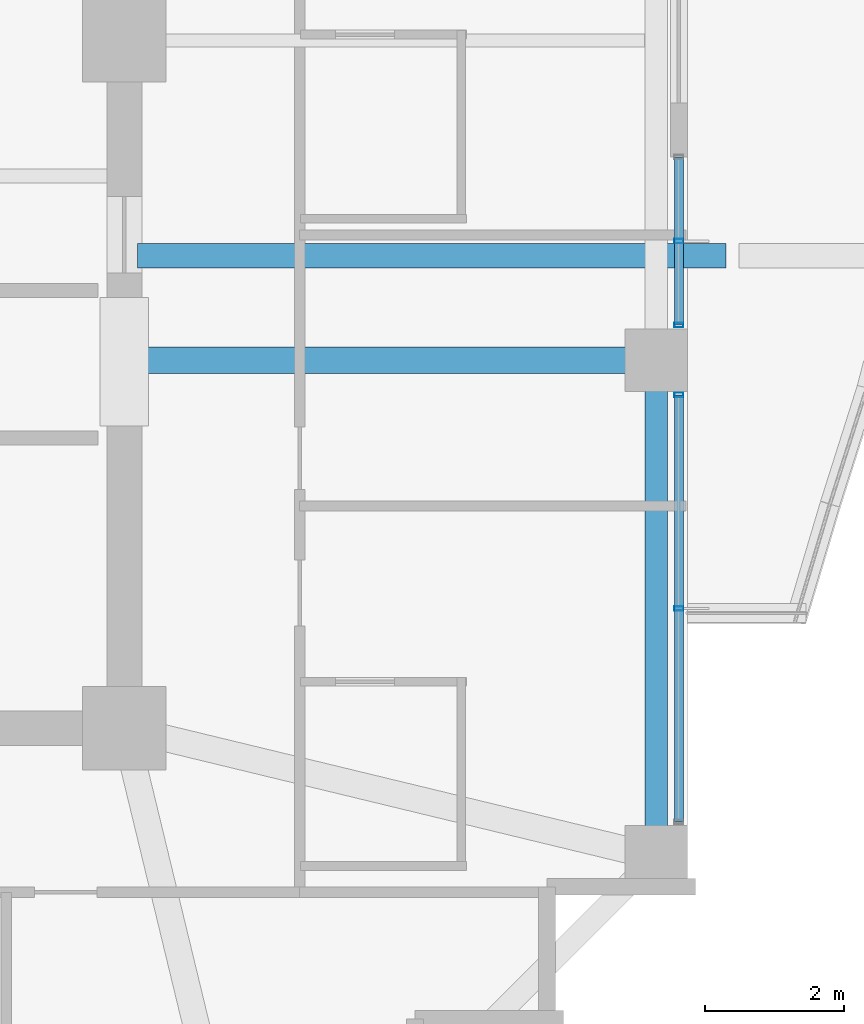
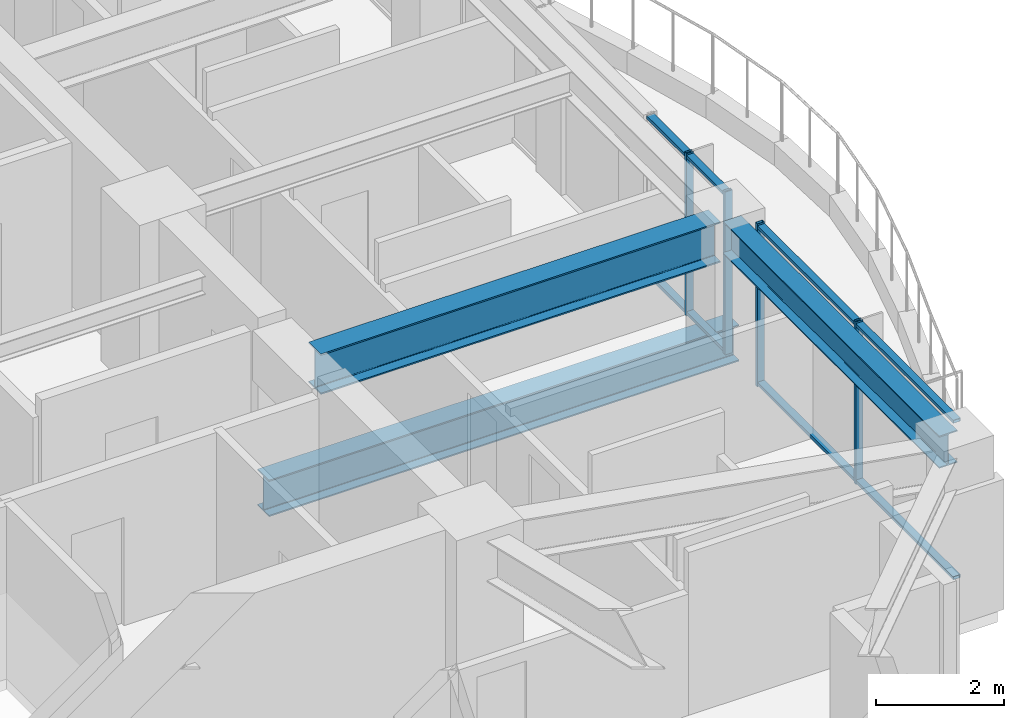
# One storey, part 13 of 33: 8 members, 3 beams, 2 elements without a shape of their own.
"""IFC4 building model written with IfcOpenShell, lengths in metres."""

from ifc_helpers import new_model, si_unit, direction, frame, origin, origin_2d, place, context, subcontext, project, spatial, hollow_rectangle, i_section, extrude, material, material_profile, profile_set, type_object, element, aggregate, save


model = new_model("IFC4")

# Units and contexts
model_context = context("Model", 3, precision=1e-05, world=origin(), true_north=direction((0.0, 1.0)))
body_context = subcontext(model_context, "Body", "Model", "MODEL_VIEW")
ifc_project = project(units=[si_unit("LENGTHUNIT", "METRE"), si_unit("AREAUNIT", "SQUARE_METRE"), si_unit("VOLUMEUNIT", "CUBIC_METRE"), si_unit("PLANEANGLEUNIT", "RADIAN"), si_unit("MASSUNIT", "GRAM", prefix="KILO")], contexts=[model_context])

# Site, building, storey
site_placement = place(None, origin())
site = spatial("IfcSite", under=ifc_project, at=site_placement, CompositionType="ELEMENT")
building_placement = place(site_placement, origin())
building = spatial("IfcBuilding", under=site, at=building_placement, Name="Kolvaren Belvedere", CompositionType="ELEMENT")
storey_placement = place(building_placement, frame((0.0, 0.0, 128.300048828125)))
storey = spatial("IfcBuildingStorey", under=building, at=storey_placement, Name="L37", CompositionType="ELEMENT", Elevation=128.300048828125)

# Beams
ifc_material_1 = material(Name="Structural steel ASTM A992 Grade 50", Category="steel")
ifc_material_profile_1 = material_profile(ifc_material_1, i_section(OverallWidth=0.35498046875, OverallDepth=0.696044921875, WebThickness=0.015380859375, FlangeThickness=0.02490234375, FilletRadius=0.02197265625, at=origin_2d()), Name="W27X146")
ifc_profile_set_1 = profile_set([ifc_material_profile_1], Name="Structural steel ASTM A992 Grade 50")
beam_type_1 = type_object("IfcBeamType", Name="BM-GIRD-W27X146", PredefinedType="BEAM", material=ifc_profile_set_1)
beam_1_placement = place(storey_placement, frame((10.090087890625, -3.10009765625, -0.548095703125), z_axis=(1.0, 0.0, 0.0), x_axis=(0.0, 1.0, 0.0)))
element("IfcBeam", 1, at=beam_1_placement, inside=storey, type_object=beam_type_1, Name="L37 Balcony Interior Back-Span Girder BAL-E-1", PredefinedType="BEAM", context=body_context, shape_type="SweptSolid", body=[
    extrude(i_section(OverallWidth=0.35498046875, OverallDepth=0.696044921875, WebThickness=0.015380859375, FlangeThickness=0.02490234375, FilletRadius=0.02197265625, at=origin_2d()), origin(), (0.0, 0.0, 1.0), 8.46484375),
])
ifc_material_2 = material(Name="Structural steel ASTM A992 Grade 50", Category="steel")
ifc_material_profile_2 = material_profile(ifc_material_2, i_section(OverallWidth=0.381103515625, OverallDepth=0.77294921875, WebThickness=0.0166015625, FlangeThickness=0.027099609375, FilletRadius=0.02392578125, at=origin_2d()), Name="W30X173")
ifc_profile_set_2 = profile_set([ifc_material_profile_2], Name="Structural steel ASTM A992 Grade 50")
beam_type_2 = type_object("IfcBeamType", Name="BM-GIRD-W30X173", PredefinedType="BEAM", material=ifc_profile_set_2)
beam_2_placement = place(storey_placement, frame((10.14990234375, -4.60009765625, 2.71337890625), z_axis=(1.0, 0.0, 0.0), x_axis=(0.0, 1.0, 0.0)))
element("IfcBeam", 2, at=beam_2_placement, inside=storey, type_object=beam_type_2, Name="L37 East Radial Girder M", PredefinedType="BEAM", context=body_context, shape_type="SweptSolid", body=[
    extrude(i_section(OverallWidth=0.381103515625, OverallDepth=0.77294921875, WebThickness=0.0166015625, FlangeThickness=0.027099609375, FilletRadius=0.02392578125, at=origin_2d()), origin(), (0.0, 0.0, 1.0), 7.197509765625),
])
ifc_material_3 = material(Name="Structural steel ASTM A992 Grade 50", Category="steel")
ifc_material_profile_3 = material_profile(ifc_material_3, i_section(OverallWidth=0.324951171875, OverallDepth=0.615966796875, WebThickness=0.013916015625, FlangeThickness=0.021484375, FilletRadius=0.02001953125, at=origin_2d()), Name="W24X117")
ifc_profile_set_3 = profile_set([ifc_material_profile_3], Name="Structural steel ASTM A992 Grade 50")
beam_type_3 = type_object("IfcBeamType", Name="BM-SPAN-W24X117", PredefinedType="SPANDREL", material=ifc_profile_set_3)
beam_3_placement = place(storey_placement, frame((17.550048828125, -11.547607421875, 2.7919921875), z_axis=(0.0, 1.0, 0.0), x_axis=(-1.0, 0.0, 0.0)))
element("IfcBeam", 3, at=beam_3_placement, inside=storey, type_object=beam_type_3, Name="L37 Perimeter Spandrel E1-E2", PredefinedType="SPANDREL", context=body_context, shape_type="SweptSolid", body=[
    extrude(i_section(OverallWidth=0.324951171875, OverallDepth=0.615966796875, WebThickness=0.013916015625, FlangeThickness=0.021484375, FilletRadius=0.02001953125, at=origin_2d()), origin(), (0.0, 0.0, 1.0), 6.7451171875),
])

# Curtain wall, members
ifc_material_4 = material(Name="Anodised pale-metal aluminium AA 6063-T6", Category="aluminium")
curtain_wall_type = type_object("IfcCurtainWallType", Name="CW-Z3-WAIST", PredefinedType="NOTDEFINED", material=ifc_material_4)
curtain_wall_1_placement = place(storey_placement, origin())
curtain_wall_1 = element("IfcCurtainWall", 4, at=curtain_wall_1_placement, inside=storey, type_object=curtain_wall_type, Name="L37 Unitised Curtain Wall FCW-L37-E2-B1", PredefinedType="NOTDEFINED")
ifc_material_5 = material(Name="Anodised pale-metal aluminium AA 6063-T6", Category="aluminium")
ifc_material_profile_4 = material_profile(ifc_material_5, hollow_rectangle(XDim=0.06494140625, YDim=0.1298828125, WallThickness=0.00390625, at=origin_2d()), Name="ALU-MUL-130X65")
ifc_profile_set_4 = profile_set([ifc_material_profile_4], Name="Anodised pale-metal aluminium AA 6063-T6")
member_type_1 = type_object("IfcMemberType", Name="CW-MUL-130", PredefinedType="MULLION", material=ifc_profile_set_4)
member_1_placement = place(storey_placement, frame((17.8798828125, -2.888671875, 0.0), z_axis=(0.0, 0.0, 1.0), x_axis=(0.0, 1.0, 0.0)))
member_1 = element("IfcMember", 5, at=member_1_placement, type_object=member_type_1, Name="FCW-L37-E2-B1 Unitised Mullion 2", PredefinedType="MULLION", context=body_context, shape_type="SweptSolid", body=[
    extrude(hollow_rectangle(XDim=0.06494140625, YDim=0.1298828125, WallThickness=0.00390625, at=origin_2d()), origin(), (0.0, 0.0, 1.0), 3.099853515625),
])
member_2_placement = place(storey_placement, frame((17.8798828125, -4.097412109375, 0.0), z_axis=(0.0, 0.0, 1.0), x_axis=(0.0, 1.0, 0.0)))
member_2 = element("IfcMember", 6, at=member_2_placement, type_object=member_type_1, Name="FCW-L37-E2-B1 Unitised Mullion 3", PredefinedType="MULLION", context=body_context, shape_type="SweptSolid", body=[
    extrude(hollow_rectangle(XDim=0.06494140625, YDim=0.1298828125, WallThickness=0.00390625, at=origin_2d()), origin(), (0.0, 0.0, 1.0), 3.099853515625),
])

curtain_wall_2_placement = place(storey_placement, origin())
curtain_wall_2 = element("IfcCurtainWall", 7, at=curtain_wall_2_placement, inside=storey, type_object=curtain_wall_type, Name="L37 Unitised Curtain Wall FCW-L37-E2-B2", PredefinedType="NOTDEFINED")
member_3_placement = place(storey_placement, frame((17.8798828125, -5.1025390625, 0.0), z_axis=(0.0, 0.0, 1.0), x_axis=(0.0, 1.0, 0.0)))
member_3 = element("IfcMember", 8, at=member_3_placement, type_object=member_type_1, Name="FCW-L37-E2-B2 Unitised Mullion 1", PredefinedType="MULLION", context=body_context, shape_type="SweptSolid", body=[
    extrude(hollow_rectangle(XDim=0.06494140625, YDim=0.1298828125, WallThickness=0.00390625, at=origin_2d()), origin(), (0.0, 0.0, 1.0), 3.099853515625),
])
member_4_placement = place(storey_placement, frame((17.8798828125, -8.175048828125, 0.0), z_axis=(0.0, 0.0, 1.0), x_axis=(0.0, 1.0, 0.0)))
member_4 = element("IfcMember", 9, at=member_4_placement, type_object=member_type_1, Name="FCW-L37-E2-B2 Unitised Mullion 2", PredefinedType="MULLION", context=body_context, shape_type="SweptSolid", body=[
    extrude(hollow_rectangle(XDim=0.06494140625, YDim=0.1298828125, WallThickness=0.00390625, at=origin_2d()), origin(), (0.0, 0.0, 1.0), 3.099853515625),
])

# Member
ifc_material_6 = material(Name="Anodised pale-metal aluminium AA 6063-T6", Category="aluminium")
ifc_material_profile_5 = material_profile(ifc_material_6, hollow_rectangle(XDim=0.06005859375, YDim=0.1298828125, WallThickness=0.00390625, at=origin_2d()), Name="ALU-TRN-130X60")
ifc_profile_set_5 = profile_set([ifc_material_profile_5], Name="Anodised pale-metal aluminium AA 6063-T6")
member_type_2 = type_object("IfcMemberType", Name="CW-TRN-130", PredefinedType="USERDEFINED", material=ifc_profile_set_5)
member_5_placement = place(storey_placement, frame((17.8798828125, -1.679931640625, 0.06005859375), z_axis=(0.0, -1.0, 0.0), x_axis=(0.0, 0.0, 1.0)))
member_5 = element("IfcMember", 10, at=member_5_placement, type_object=member_type_2, Name="FCW-L37-E2-B1 Sill Transom", ObjectType="TRANSOM", PredefinedType="USERDEFINED", context=body_context, shape_type="SweptSolid", body=[
    extrude(hollow_rectangle(XDim=0.06005859375, YDim=0.1298828125, WallThickness=0.00390625, at=origin_2d()), origin(), (0.0, 0.0, 1.0), 2.41748046875),
])

member_6_placement = place(storey_placement, frame((17.8798828125, -1.679931640625, 3.0400390625), z_axis=(0.0, -1.0, 0.0), x_axis=(0.0, 0.0, 1.0)))
member_6 = element("IfcMember", 11, at=member_6_placement, type_object=member_type_2, Name="FCW-L37-E2-B1 Head Transom", ObjectType="TRANSOM", PredefinedType="USERDEFINED", context=body_context, shape_type="SweptSolid", body=[
    extrude(hollow_rectangle(XDim=0.06005859375, YDim=0.1298828125, WallThickness=0.00390625, at=origin_2d()), origin(), (0.0, 0.0, 1.0), 2.41748046875),
])

aggregate(curtain_wall_1, [member_1, member_2, member_5, member_6])

member_7_placement = place(storey_placement, frame((17.8798828125, -5.1025390625, 0.06005859375), z_axis=(0.0, -1.0, 0.0), x_axis=(0.0, 0.0, 1.0)))
member_7 = element("IfcMember", 12, at=member_7_placement, type_object=member_type_2, Name="FCW-L37-E2-B2 Sill Transom", ObjectType="TRANSOM", PredefinedType="USERDEFINED", context=body_context, shape_type="SweptSolid", body=[
    extrude(hollow_rectangle(XDim=0.06005859375, YDim=0.1298828125, WallThickness=0.00390625, at=origin_2d()), origin(), (0.0, 0.0, 1.0), 6.14501953125),
])

member_8_placement = place(storey_placement, frame((17.8798828125, -5.1025390625, 3.0400390625), z_axis=(0.0, -1.0, 0.0), x_axis=(0.0, 0.0, 1.0)))
member_8 = element("IfcMember", 13, at=member_8_placement, type_object=member_type_2, Name="FCW-L37-E2-B2 Head Transom", ObjectType="TRANSOM", PredefinedType="USERDEFINED", context=body_context, shape_type="SweptSolid", body=[
    extrude(hollow_rectangle(XDim=0.06005859375, YDim=0.1298828125, WallThickness=0.00390625, at=origin_2d()), origin(), (0.0, 0.0, 1.0), 6.14501953125),
])

aggregate(curtain_wall_2, [member_3, member_4, member_7, member_8])

save(model, "model.ifc")
